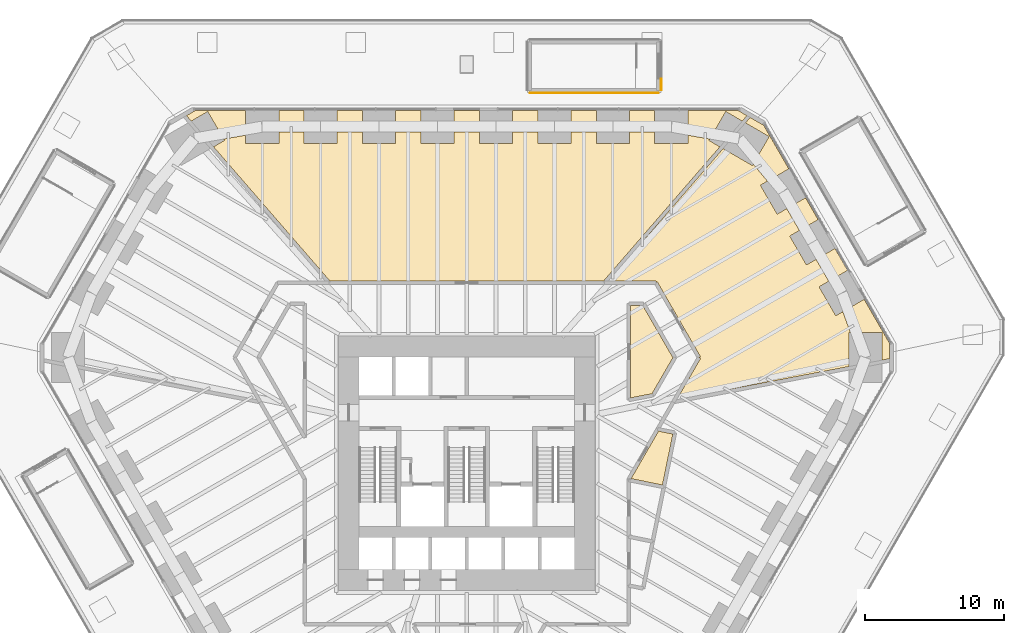
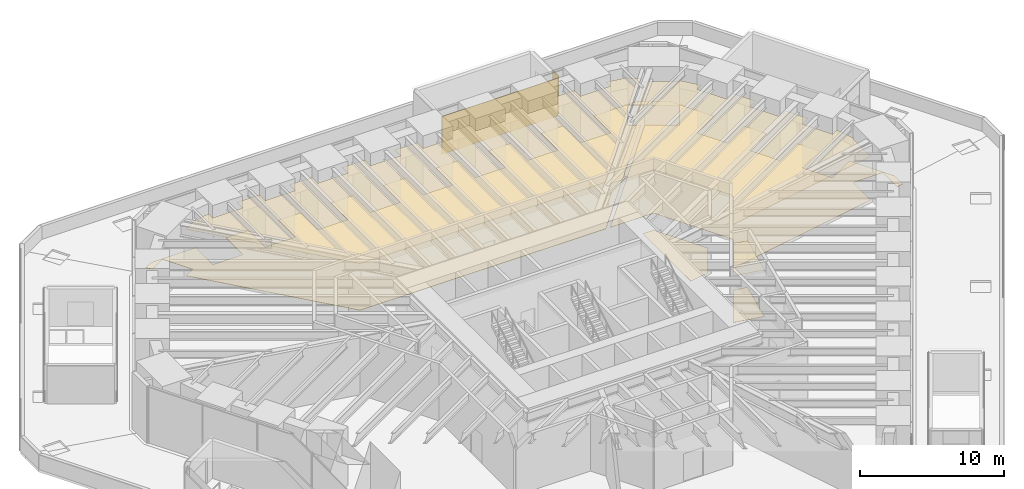
# One storey, part 18 of 20: 9 coverings.
"""IFC4 building model written with IfcOpenShell, lengths in metres."""

from ifc_helpers import new_model, si_unit, direction, frame, frame_2d, origin, place, context, subcontext, project, spatial, polyline, rectangle, outline, extrude, material, layer, layer_set, type_object, element, save


model = new_model("IFC4")

# Units and contexts
model_context = context("Model", 3, precision=1e-05, world=origin(), true_north=direction((0.0, 1.0)))
body_context = subcontext(model_context, "Body", "Model", "MODEL_VIEW")
ifc_project = project(units=[si_unit("LENGTHUNIT", "METRE"), si_unit("AREAUNIT", "SQUARE_METRE"), si_unit("VOLUMEUNIT", "CUBIC_METRE"), si_unit("PLANEANGLEUNIT", "RADIAN"), si_unit("MASSUNIT", "GRAM", prefix="KILO")], contexts=[model_context])

# Site, building, storey
site_placement = place(None, origin())
site = spatial("IfcSite", under=ifc_project, at=site_placement, CompositionType="ELEMENT")
building_placement = place(site_placement, origin())
building = spatial("IfcBuilding", under=site, at=building_placement, Name="Sandreach Pilgrim Tower", CompositionType="ELEMENT")
storey_placement = place(building_placement, frame((0.0, 0.0, 18.0)))
storey = spatial("IfcBuildingStorey", under=building, at=storey_placement, Name="L03", CompositionType="ELEMENT", Elevation=18.0)

# Coverings
ifc_material_1 = material(Name="Acoustic mineral fibre tile ceiling on a suspension grid", Category="mineral")
ifc_layer_1 = layer(ifc_material_1, 0.02001953125)
ifc_layer_set_1 = layer_set([ifc_layer_1], Name="Acoustic mineral tile ceiling")
covering_type_1 = type_object("IfcCoveringType", Name="Acoustic mineral tile ceiling", PredefinedType="CEILING", material=ifc_layer_set_1)
covering_1_placement = place(storey_placement, frame((0.0, 0.0, 3.949951171875)))
element("IfcCovering", 1, at=covering_1_placement, inside=storey, type_object=covering_type_1, Name="Ceiling 0301 Pilgrim dining hall", PredefinedType="CEILING", context=body_context, shape_type="SweptSolid", body=[
    extrude(outline(polyline([(-15.934814453125, 22.072265625), (-15.934814453125, 21.48876953125), (-13.53466796875, 21.48876953125), (-13.53466796875, 22.288818359375), (-11.724853515625, 22.288818359375), (-11.724853515625, 21.48876953125), (-9.32470703125, 21.48876953125), (-9.32470703125, 22.288818359375), (-7.514892578125, 22.288818359375), (-7.514892578125, 21.48876953125), (-5.114990234375, 21.48876953125), (-5.114990234375, 22.288818359375), (-3.304931640625, 22.288818359375), (-3.304931640625, 21.48876953125), (-0.905029296875, 21.48876953125), (-0.905029296875, 22.288818359375), (0.905029296875, 22.288818359375), (0.905029296875, 21.48876953125), (3.304931640625, 21.48876953125), (3.304931640625, 22.288818359375), (5.114990234375, 22.288818359375), (5.114990234375, 21.48876953125), (7.514892578125, 21.48876953125), (7.514892578125, 22.288818359375), (9.32470703125, 22.288818359375), (9.32470703125, 21.48876953125), (11.724853515625, 21.48876953125), (11.724853515625, 22.288818359375), (13.53466796875, 22.288818359375), (13.53466796875, 21.48876953125), (15.934814453125, 21.48876953125), (15.934814453125, 22.072265625), (17.505859375, 21.796875), (17.447509765625, 21.695556640625), (18.23486328125, 21.240966796875), (9.85302734375, 11.574951171875), (-9.85302734375, 11.574951171875), (-18.23486328125, 21.240966796875), (-17.447509765625, 21.695556640625), (-17.505859375, 21.796875), (-15.934814453125, 22.072265625)])), origin(), (0.0, 0.0, 1.0), 0.02001953125),
])
ifc_material_2 = material(Name="Epoxy resin floor on the slab", Category="plastic")
ifc_layer_2 = layer(ifc_material_2, 0.00390625)
ifc_layer_set_2 = layer_set([ifc_layer_2], Name="Epoxy resin floor")
covering_type_2 = type_object("IfcCoveringType", Name="Epoxy resin floor", PredefinedType="FLOORING", material=ifc_layer_set_2)
covering_2_placement = place(storey_placement, origin())
element("IfcCovering", 2, at=covering_2_placement, inside=storey, type_object=covering_type_2, Name="Floor finish 03B1 Dry store", PredefinedType="FLOORING", context=body_context, shape_type="SweptSolid", body=[
    extrude(outline(polyline([(11.794921875, 3.16162109375), (11.794921875, 9.824951171875), (12.66796875, 9.824951171875), (14.845458984375, 6.06005859375), (13.34033203125, 3.4619140625), (11.794921875, 3.16162109375)])), origin(), (0.0, 0.0, 1.0), 0.00390625),
])
ifc_material_3 = material(Name="Moisture-resistant gypsum board suspended ceiling on a steel grid", Category="steel")
ifc_layer_3 = layer(ifc_material_3, 0.01611328125)
ifc_layer_set_3 = layer_set([ifc_layer_3], Name="Moisture-resistant gypsum board ceiling")
covering_type_3 = type_object("IfcCoveringType", Name="Moisture-resistant gypsum board ceiling", PredefinedType="CEILING", material=ifc_layer_set_3)
covering_3_placement = place(storey_placement, frame((0.0, 0.0, 3.699951171875)))
element("IfcCovering", 3, at=covering_3_placement, inside=storey, type_object=covering_type_3, Name="Ceiling 0302 Servery east", PredefinedType="CEILING", context=body_context, shape_type="SweptSolid", body=[
    extrude(outline(polyline([(13.610107421875, 11.574951171875), (10.183837890625, 11.574951171875), (18.455322265625, 21.113525390625), (20.565185546875, 19.8955078125), (20.623291015625, 19.99609375), (21.654541015625, 18.763427734375), (21.148681640625, 18.47119140625), (22.3486328125, 16.392822265625), (23.04150390625, 16.79296875), (23.95263671875, 15.214599609375), (23.259765625, 14.814697265625), (24.459716796875, 12.736328125), (25.152587890625, 13.13623046875), (26.063720703125, 11.55810546875), (25.370849609375, 11.157958984375), (26.571044921875, 9.07958984375), (27.076904296875, 9.37158203125), (27.628662109375, 7.862060546875), (27.5126953125, 7.862060546875), (27.5126953125, 5.41943359375), (15.115234375, 3.034423828125), (16.828125, 5.99755859375), (16.719970703125, 6.06005859375), (16.828369140625, 6.12255859375), (13.71826171875, 11.512451171875), (13.610107421875, 11.449951171875), (13.610107421875, 11.574951171875)])), origin(), (0.0, 0.0, 1.0), 0.01611328125),
])
covering_4_placement = place(storey_placement, frame((0.0, 0.0, 3.949951171875)))
element("IfcCovering", 4, at=covering_4_placement, inside=storey, type_object=covering_type_3, Name="Ceiling 03T3 Men's toilets 03", PredefinedType="CEILING", context=body_context, shape_type="SweptSolid", body=[
    extrude(outline(polyline([(13.8076171875, 0.770751953125), (14.842529296875, 0.562255859375), (14.092529296875, -3.11279296875), (11.8291015625, -2.654541015625), (13.8076171875, 0.770751953125)])), origin(), (0.0, 0.0, 1.0), 0.01611328125),
])
ifc_material_4 = material(Name="Porcelain tile on an adhesive bed", Category="ceramic")
ifc_layer_4 = layer(ifc_material_4, 0.011962890625)
ifc_layer_set_4 = layer_set([ifc_layer_4], Name="Porcelain tile")
covering_type_4 = type_object("IfcCoveringType", Name="Porcelain tile", PredefinedType="FLOORING", material=ifc_layer_set_4)
covering_5_placement = place(storey_placement, origin())
element("IfcCovering", 5, at=covering_5_placement, inside=storey, type_object=covering_type_4, Name="Floor finish 0302 Servery east", PredefinedType="FLOORING", context=body_context, shape_type="SweptSolid", body=[
    extrude(outline(polyline([(13.610107421875, 11.574951171875), (10.183837890625, 11.574951171875), (18.455322265625, 21.113525390625), (20.565185546875, 19.8955078125), (21.76513671875, 21.97412109375), (20.056884765625, 22.96044921875), (20.3994140625, 23.35546875), (21.380859375, 22.788818359375), (23.1923828125, 19.6513671875), (21.148681640625, 18.47119140625), (22.3486328125, 16.392822265625), (24.392333984375, 17.57275390625), (25.3037109375, 15.99462890625), (23.259765625, 14.814697265625), (24.459716796875, 12.736328125), (26.51220703125, 13.921142578125), (27.42333984375, 12.343017578125), (25.370849609375, 11.157958984375), (26.571044921875, 9.07958984375), (28.61474609375, 10.259521484375), (30.42626953125, 7.1220703125), (30.42626953125, 5.97998046875), (29.91259765625, 5.881103515625), (29.91259765625, 7.862060546875), (27.5126953125, 7.862060546875), (27.5126953125, 5.41943359375), (15.115234375, 3.034423828125), (16.828125, 5.99755859375), (16.719970703125, 6.06005859375), (16.828369140625, 6.12255859375), (13.71826171875, 11.512451171875), (13.610107421875, 11.449951171875), (13.610107421875, 11.574951171875)])), origin(), (0.0, 0.0, 1.0), 0.011962890625),
])
covering_6_placement = place(storey_placement, origin())
element("IfcCovering", 6, at=covering_6_placement, inside=storey, type_object=covering_type_4, Name="Floor finish 03T3 Men's toilets 03", PredefinedType="FLOORING", context=body_context, shape_type="SweptSolid", body=[
    extrude(outline(polyline([(13.8076171875, 0.770751953125), (14.842529296875, 0.562255859375), (14.092529296875, -3.11279296875), (11.8291015625, -2.654541015625), (13.8076171875, 0.770751953125)])), origin(), (0.0, 0.0, 1.0), 0.011962890625),
])
ifc_material_5 = material(Name="Terracotta rainscreen panels on aluminium rails", Category="masonry")
ifc_layer_5 = layer(ifc_material_5, 0.050048828125)
ifc_layer_set_5 = layer_set([ifc_layer_5], Name="Terracotta rainscreen cladding 50")
covering_type_5 = type_object("IfcCoveringType", Name="Terracotta rainscreen cladding 50", PredefinedType="CLADDING", material=ifc_layer_set_5)
covering_7_placement = place(storey_placement, frame((13.829833984375, 25.123779296875, 0.0), z_axis=(0.0, 0.0, 1.0), x_axis=(-1.0, 0.0, 0.0)))
element("IfcCovering", 7, at=covering_7_placement, inside=storey, type_object=covering_type_5, Name="Rainscreen cladding on stair ST7 head-house wall", PredefinedType="CLADDING", context=body_context, shape_type="SweptSolid", body=[
    extrude(rectangle(XDim=9.300048828125, YDim=0.050048828125, at=frame_2d((4.64990234375, 0.0))), origin(), (0.0, 0.0, 1.0), 3.199951171875),
])
covering_8_placement = place(storey_placement, frame((14.004638671875, 26.148681640625, 0.0), z_axis=(0.0, 0.0, 1.0), x_axis=(0.0, -1.0, 0.0)))
element("IfcCovering", 8, at=covering_8_placement, inside=storey, type_object=covering_type_5, Name="Rainscreen cladding on stair ST7 head-house door wall, right of the door", PredefinedType="CLADDING", context=body_context, shape_type="SweptSolid", body=[
    extrude(rectangle(XDim=0.849853515625, YDim=0.050048828125, at=frame_2d((0.4248046875, 0.0))), origin(), (0.0, 0.0, 1.0), 3.199951171875),
])
ifc_material_6 = material(Name="Cement terrazzo, ground and polished", Category="terrazzo")
ifc_layer_6 = layer(ifc_material_6, 0.02490234375)
ifc_layer_set_6 = layer_set([ifc_layer_6], Name="Terrazzo")
covering_type_6 = type_object("IfcCoveringType", Name="Terrazzo", PredefinedType="FLOORING", material=ifc_layer_set_6)
covering_9_placement = place(storey_placement, origin())
element("IfcCovering", 9, at=covering_9_placement, inside=storey, type_object=covering_type_6, Name="Floor finish 0301 Pilgrim dining hall", PredefinedType="FLOORING", context=body_context, shape_type="SweptSolid", body=[
    extrude(outline(polyline([(-15.934814453125, 23.8486328125), (-15.934814453125, 21.48876953125), (-13.53466796875, 21.48876953125), (-13.53466796875, 23.8486328125), (-11.724853515625, 23.8486328125), (-11.724853515625, 21.48876953125), (-9.32470703125, 21.48876953125), (-9.32470703125, 23.8486328125), (-7.514892578125, 23.8486328125), (-7.514892578125, 21.48876953125), (-5.114990234375, 21.48876953125), (-5.114990234375, 23.8486328125), (-3.304931640625, 23.8486328125), (-3.304931640625, 21.48876953125), (-0.905029296875, 21.48876953125), (-0.905029296875, 23.858642578125), (0.905029296875, 23.858642578125), (0.905029296875, 21.48876953125), (3.304931640625, 21.48876953125), (3.304931640625, 23.8486328125), (5.114990234375, 23.8486328125), (5.114990234375, 21.48876953125), (7.514892578125, 21.48876953125), (7.514892578125, 23.8486328125), (9.32470703125, 23.8486328125), (9.32470703125, 21.48876953125), (11.724853515625, 21.48876953125), (11.724853515625, 23.8486328125), (13.53466796875, 23.8486328125), (13.53466796875, 21.48876953125), (15.934814453125, 21.48876953125), (15.934814453125, 23.8486328125), (19.54541015625, 23.8486328125), (20.178955078125, 23.48291015625), (19.836181640625, 23.087646484375), (18.6474609375, 23.77392578125), (17.447509765625, 21.695556640625), (18.23486328125, 21.240966796875), (9.85302734375, 11.574951171875), (-9.85302734375, 11.574951171875), (-18.23486328125, 21.240966796875), (-17.447509765625, 21.695556640625), (-18.6474609375, 23.77392578125), (-19.836181640625, 23.087646484375), (-20.178955078125, 23.48291015625), (-19.54541015625, 23.8486328125), (-15.934814453125, 23.8486328125)])), origin(), (0.0, 0.0, 1.0), 0.02490234375),
])

save(model, "model.ifc")
